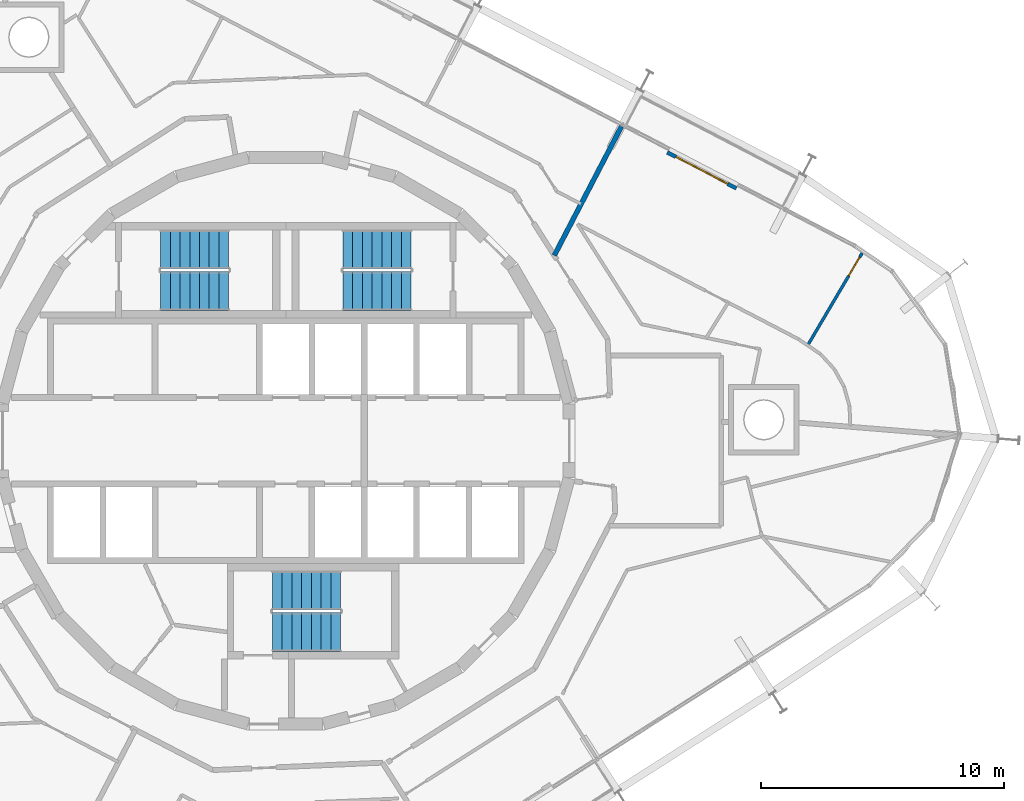
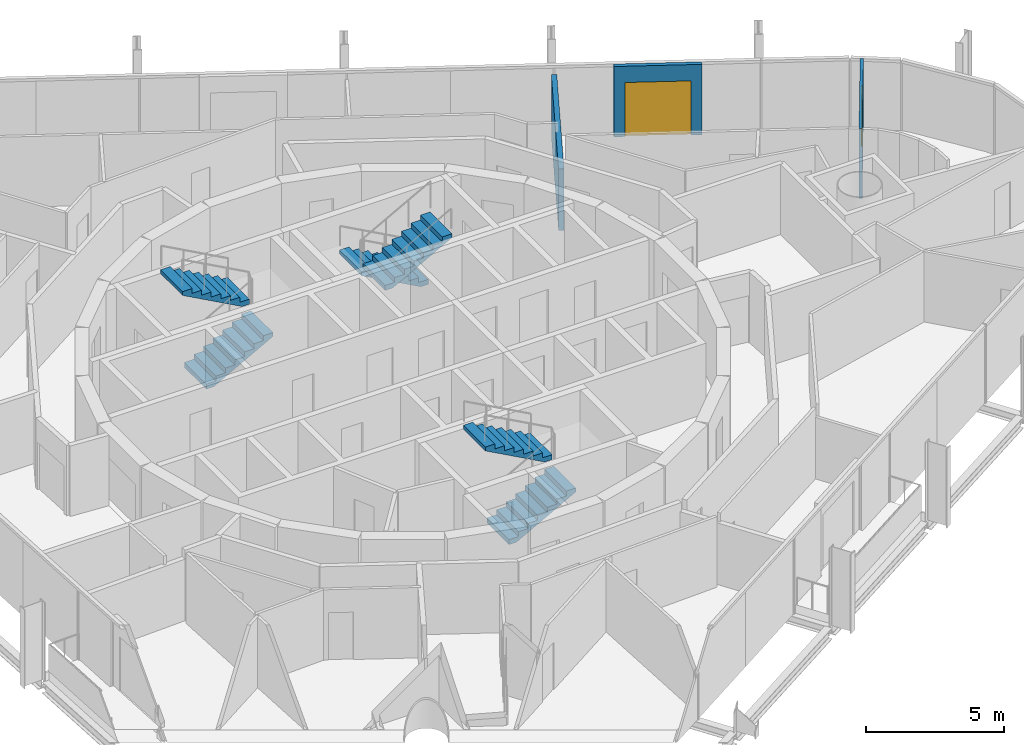
# One storey, part 17 of 18: 6 stair flights, 3 walls, 2 doors, 2 openings, 3 elements without a shape of their own.
"""IFC4 building model written with IfcOpenShell, lengths in metres."""

import ifcopenshell
import ifcopenshell.guid

model = None  # the IFC model being written
_history = None  # IfcOwnerHistory: only IFC2X3 demands one
_inside = {}  # id of a spatial element -> (the spatial element, [elements in it])
_under = {}  # id of a project, library or spatial element -> (it, [spatial elements below it])
_declared = {}  # id of a project -> (the project, [libraries it declares])
_typed = {}  # id of a type object -> (the type object, [elements of that type])
_made_of = {}  # id of a material, layer set ... -> (it, [elements and type objects made of it])


def new_model(schema):
    """Start an empty IFC model of exactly this schema.

    Asked for "IFC4X3", IfcOpenShell would pick the latest addendum, in which some entities
    have other attributes; the version numbers below select the first issue.
    IFC2X3 requires an IfcOwnerHistory on every rooted entity: one is made here for all.
    """
    global model, _history
    if schema == "IFC4X3":
        model = ifcopenshell.file(schema_version=(4, 3, 0, 0))
    else:
        model = ifcopenshell.file(schema=schema)
    _inside.clear()
    _under.clear()
    _declared.clear()
    _typed.clear()
    _made_of.clear()
    _history = None
    if model.schema == "IFC2X3":
        org = make("IfcOrganization", Name="unknown")
        user = make(
            "IfcPersonAndOrganization",
            ThePerson=make("IfcPerson", FamilyName="unknown"),
            TheOrganization=org,
        )
        app = make(
            "IfcApplication",
            ApplicationDeveloper=org,
            Version="unknown",
            ApplicationFullName="unknown",
            ApplicationIdentifier="unknown",
        )
        _history = make(
            "IfcOwnerHistory",
            OwningUser=user,
            OwningApplication=app,
            ChangeAction="ADDED",
            CreationDate=0,
        )
    return model


def make(cls, **values):
    """One entity of the class cls with the attributes given. An attribute that is None is left unset."""
    return model.create_entity(
        cls, **{name: value for name, value in values.items() if value is not None}
    )


def rooted(cls, **values):
    """An entity with a GlobalId (a new one), such as an element, a storey or a relation."""
    return make(cls, GlobalId=ifcopenshell.guid.new(), OwnerHistory=_history, **values)


def si_unit(unit_type, name, prefix=None):
    """IfcSIUnit, for example si_unit("LENGTHUNIT", "METRE", prefix="MILLI")."""
    return make("IfcSIUnit", UnitType=unit_type, Prefix=prefix, Name=name)


def assignment(units):
    """IfcUnitAssignment: the units of a project."""
    return None if units is None else make("IfcUnitAssignment", Units=units)


def point(xyz):
    """IfcCartesianPoint."""
    return None if xyz is None else make("IfcCartesianPoint", Coordinates=xyz)


def direction(xyz):
    """IfcDirection."""
    return None if xyz is None else make("IfcDirection", DirectionRatios=xyz)


def frame(location, z_axis=None, x_axis=None):
    """IfcAxis2Placement3D, a coordinate frame: its origin and axes. An axis left out is left unset."""
    return make(
        "IfcAxis2Placement3D",
        Location=point(location),
        Axis=direction(z_axis),
        RefDirection=direction(x_axis),
    )


def frame_2d(location, x_axis=None):
    """IfcAxis2Placement2D, a coordinate frame in the plane: its origin and x axis."""
    return make(
        "IfcAxis2Placement2D", Location=point(location), RefDirection=direction(x_axis)
    )


def origin():
    """The frame at (0, 0, 0) with its axes left unset."""
    return frame((0.0, 0.0, 0.0))


def place(relative_to, where):
    """IfcLocalPlacement: puts the frame where relative to a parent placement (None: the world)."""
    return make(
        "IfcLocalPlacement", PlacementRelTo=relative_to, RelativePlacement=where
    )


def context(
    kind, dimensions, precision=None, world=None, true_north=None, identifier=None
):
    """IfcGeometricRepresentationContext, for example the 3D "Model" context."""
    return make(
        "IfcGeometricRepresentationContext",
        ContextIdentifier=identifier,
        ContextType=kind,
        CoordinateSpaceDimension=dimensions,
        Precision=precision,
        WorldCoordinateSystem=world,
        TrueNorth=true_north,
    )


def subcontext(parent, identifier, kind, view, scale=None):
    """IfcGeometricRepresentationSubContext, for example "Body" below "Model"."""
    return make(
        "IfcGeometricRepresentationSubContext",
        ContextIdentifier=identifier,
        ContextType=kind,
        ParentContext=parent,
        TargetScale=scale,
        TargetView=view,
    )


def project(units=None, contexts=None):
    """IfcProject with its units and contexts."""
    return rooted(
        "IfcProject",
        Name="project",
        RepresentationContexts=contexts,
        UnitsInContext=assignment(units),
    )


def spatial(cls, under=None, at=None, **own):
    """A site, building, storey or space (cls), placed at a placement, below another one or the project."""
    s = rooted(cls, ObjectPlacement=at, **own)
    if under is not None:
        _under.setdefault(under.id(), (under, []))[1].append(s)
    return s


def polyline(points):
    """IfcPolyline through the points."""
    return make("IfcPolyline", Points=[point(p) for p in points])


def profile(cls, at=None, kind="AREA", **sizes):
    """A parametric profile (cls). Its sizes go by their IFC names, for example OverallWidth=200.0."""
    return make(cls, ProfileType=kind, Position=at, **sizes)


def rectangle(**sizes):
    """IfcRectangleProfileDef."""
    return profile("IfcRectangleProfileDef", **sizes)


def outline(outer, holes=None, kind="AREA"):
    """IfcArbitraryClosedProfileDef: a profile drawn as a closed curve; with holes, ...WithVoids."""
    if holes is None:
        return make("IfcArbitraryClosedProfileDef", ProfileType=kind, OuterCurve=outer)
    return make(
        "IfcArbitraryProfileDefWithVoids",
        ProfileType=kind,
        OuterCurve=outer,
        InnerCurves=holes,
    )


def extrude(swept, where, along, depth):
    """IfcExtrudedAreaSolid: the profile swept, set in the frame where, extruded along a direction by depth."""
    return make(
        "IfcExtrudedAreaSolid",
        SweptArea=swept,
        Position=where,
        ExtrudedDirection=direction(along),
        Depth=depth,
    )


def shape(context_of_items, identifier, shape_type, items):
    """IfcShapeRepresentation: the items that make up one representation, for example the "Body"."""
    return make(
        "IfcShapeRepresentation",
        ContextOfItems=context_of_items,
        RepresentationIdentifier=identifier,
        RepresentationType=shape_type,
        Items=items,
    )


def material(Name=None, Category=None):
    """IfcMaterial."""
    return make("IfcMaterial", Name=Name, Category=Category)


def layer(
    of_material, thickness, ventilated=None, Name=None, Category=None, Priority=None
):
    """IfcMaterialLayer: one layer of a wall or slab, of a material (None: an air gap)."""
    return make(
        "IfcMaterialLayer",
        Material=of_material,
        LayerThickness=thickness,
        IsVentilated=ventilated,
        Name=Name,
        Category=Category,
        Priority=Priority,
    )


def layer_set(layers, Name=None):
    """IfcMaterialLayerSet."""
    return make("IfcMaterialLayerSet", MaterialLayers=layers, LayerSetName=Name)


def made_of(thing, what):
    """Note that an element or type object is made of a material, layer set ...; save() writes the relation."""
    if what is not None:
        _made_of.setdefault(what.id(), (what, []))[1].append(thing)
    return thing


def type_object(cls, material=None, **own):
    """A type object (cls), such as IfcWallType, which elements share."""
    return made_of(rooted(cls, **own), material)


def element(
    cls,
    number,
    at=None,
    inside=None,
    cuts=None,
    type_object=None,
    material=None,
    context=None,
    identifier="Body",
    shape_type=None,
    held_by="IfcProductDefinitionShape",
    body=None,
    shapes=None,
    **own,
):
    """One element of the class cls, such as IfcWall. Its Tag is "e" and its number.

    at: its placement. inside: the storey or other place that contains it. cuts: it is an
    opening in that element (IfcRelVoidsElement). A single representation is given by context,
    identifier, shape_type and body (its items); several are given by shapes. held_by: the class
    of the entity that holds the representations. save() writes the other relations.
    """
    e = rooted(cls, Tag="e%d" % number, ObjectPlacement=at, **own)
    if body is not None:
        shapes = [shape(context, identifier, shape_type, body)]
    if shapes is not None:
        e.Representation = make(held_by, Representations=shapes)
    if inside is not None:
        _inside.setdefault(inside.id(), (inside, []))[1].append(e)
    if cuts is not None:
        rooted(
            "IfcRelVoidsElement", RelatingBuildingElement=cuts, RelatedOpeningElement=e
        )
    if type_object is not None:
        _typed.setdefault(type_object.id(), (type_object, []))[1].append(e)
    return made_of(e, material)


def fill(opening, filler):
    """IfcRelFillsElement: the door or window that sits in an opening."""
    return rooted(
        "IfcRelFillsElement",
        RelatingOpeningElement=opening,
        RelatedBuildingElement=filler,
    )


def aggregate(whole, parts):
    """IfcRelAggregates: a whole, such as a stair, and the parts it consists of."""
    return rooted("IfcRelAggregates", RelatingObject=whole, RelatedObjects=parts)


def save(model, path):
    """Write the relations noted so far, then the file.

    IfcRelAggregates (storeys below a building ...), IfcRelContainedInSpatialStructure (elements
    in a storey), IfcRelDefinesByType, IfcRelAssociatesMaterial and IfcRelDeclares: one each for
    every whole, place, type object, material and project.
    """
    for whole, parts in _under.values():
        aggregate(whole, parts)
    for where, things in _inside.values():
        rooted(
            "IfcRelContainedInSpatialStructure",
            RelatedElements=things,
            RelatingStructure=where,
        )
    for kind, things in _typed.values():
        rooted("IfcRelDefinesByType", RelatedObjects=things, RelatingType=kind)
    for what, things in _made_of.values():
        rooted("IfcRelAssociatesMaterial", RelatedObjects=things, RelatingMaterial=what)
    for by, libraries in _declared.values():
        rooted("IfcRelDeclares", RelatingContext=by, RelatedDefinitions=libraries)
    model.write(path)


model = new_model("IFC4")

# Units and contexts
model_context = context("Model", 3, precision=1e-05, world=origin(), true_north=direction((0.0, 1.0)))
body_context = subcontext(model_context, "Body", "Model", "MODEL_VIEW")
ifc_project = project(units=[si_unit("LENGTHUNIT", "METRE"), si_unit("AREAUNIT", "SQUARE_METRE"), si_unit("VOLUMEUNIT", "CUBIC_METRE"), si_unit("PLANEANGLEUNIT", "RADIAN"), si_unit("MASSUNIT", "GRAM", prefix="KILO")], contexts=[model_context])

# Site, building, storey
site_placement = place(None, origin())
site = spatial("IfcSite", under=ifc_project, at=site_placement, CompositionType="ELEMENT")
building_placement = place(site_placement, origin())
building = spatial("IfcBuilding", under=site, at=building_placement, Name="Spindle Arch Residences", CompositionType="ELEMENT")
storey_placement = place(building_placement, frame((0.0, 0.0, 230.199951171875)))
storey = spatial("IfcBuildingStorey", under=building, at=storey_placement, Name="L58", CompositionType="ELEMENT", Elevation=230.199951171875)

# Wall, opening, door
ifc_material_1 = material(Name="Plasterboard on steel studs", Category="steel")
ifc_layer_1 = layer(ifc_material_1, 0.1201171875)
ifc_layer_set_1 = layer_set([ifc_layer_1], Name="Flat partition 120")
wall_type_1 = type_object("IfcWallType", Name="Flat partition 120", PredefinedType="PARTITIONING", material=ifc_layer_set_1)
wall_1_placement = place(storey_placement, frame((23.6962890625, 7.715087890625, 0.0), z_axis=(0.0, 0.0, 1.0), x_axis=(-0.508219920645, -0.861227329025, 0.0)))
wall_1 = element("IfcWall", 1, at=wall_1_placement, inside=storey, type_object=wall_type_1, Name="Flat partition R6A1-W048", PredefinedType="PARTITIONING", context=body_context, shape_type="SweptSolid", body=[
    extrude(rectangle(XDim=4.408935546875, YDim=0.1201171875, at=frame_2d((2.20458984375, 0.0))), origin(), (0.0, 0.0, 1.0), 3.1201171875),
])
opening_1_placement = place(wall_1_placement, frame((0.199951171875, 0.0, 0.0)))
opening_1 = element("IfcOpeningElement", 2, at=opening_1_placement, cuts=wall_1, Name="Opening R6A1-ID03", PredefinedType="OPENING", context=body_context, shape_type="SweptSolid", body=[
    extrude(rectangle(XDim=0.89990234375, YDim=2.10009765625, at=frame_2d((0.449951171875, 1.050048828125))), frame((0.0, 0.070068359375, 0.0), z_axis=(0.0, -1.0, 0.0), x_axis=(1.0, 0.0, 0.0)), (0.0, 0.0, 1.0), 0.14013671875),
])
ifc_material_2 = material(Name="Timber door set", Category="wood")
door_type_1 = type_object("IfcDoorType", Name="Room door 900x2100", OperationType="NOTDEFINED", PredefinedType="DOOR", material=ifc_material_2)
door_1_placement = place(opening_1_placement, origin())
door_1 = element("IfcDoor", 3, at=door_1_placement, inside=storey, type_object=door_type_1, Name="Room door R6A1-ID03", OperationType="SINGLE_SWING_LEFT", OverallHeight=2.10009765625, OverallWidth=0.89990234375, PredefinedType="DOOR", context=body_context, shape_type="SweptSolid", body=[
    extrude(rectangle(XDim=0.89990234375, YDim=2.10009765625, at=frame_2d((0.449951171875, 1.050048828125))), frame((0.0, 0.02490234375, 0.0), z_axis=(0.0, -1.0, 0.0), x_axis=(1.0, 0.0, 0.0)), (0.0, 0.0, 1.0), 0.050048828125),
])
fill(opening_1, door_1)

# Wall
ifc_material_3 = material(Name="Calcium silicate block, plastered")
ifc_layer_2 = layer(ifc_material_3, 0.199951171875)
ifc_layer_set_2 = layer_set([ifc_layer_2], Name="Flat party wall 200 under beam 2730")
wall_type_2 = type_object("IfcWallType", Name="Flat party wall 200 under beam 2730", PredefinedType="STANDARD", material=ifc_layer_set_2)
wall_2_placement = place(storey_placement, frame((13.801025390625, 12.921875, 0.0), z_axis=(0.0, 0.0, 1.0), x_axis=(-0.461726485624, -0.887022351733, 0.0)))
element("IfcWall", 4, at=wall_2_placement, inside=storey, type_object=wall_type_2, Name="Flat party wall R6A1-W028", PredefinedType="STANDARD", context=body_context, shape_type="SweptSolid", body=[
    extrude(rectangle(XDim=5.984375, YDim=0.199951171875, at=frame_2d((2.9921875, 0.0))), origin(), (0.0, 0.0, 1.0), 2.72998046875),
])

# Wall, opening, door
ifc_material_4 = material(Name="Non-combustible mineral wool insulated aluminium faced external wall (K0)", Category="aluminium")
ifc_layer_3 = layer(ifc_material_4, 0.159912109375)
ifc_layer_set_3 = layer_set([ifc_layer_3], Name="Insulated external wall panel 160")
wall_type_3 = type_object("IfcWallType", Name="Insulated external wall panel 160", PredefinedType="STANDARD", material=ifc_layer_set_3)
wall_3_placement = place(storey_placement, frame((18.52294921875, 10.37353515625, 0.0), z_axis=(0.0, 0.0, 1.0), x_axis=(-0.887014349583, 0.461741858221, 0.0)))
wall_3 = element("IfcWall", 5, at=wall_3_placement, inside=storey, type_object=wall_type_3, Name="External wall L58 bay 6", PredefinedType="STANDARD", context=body_context, shape_type="SweptSolid", body=[
    extrude(rectangle(XDim=3.199951171875, YDim=0.159912109375, at=frame_2d((1.60009765625, 0.0))), origin(), (0.0, 0.0, 1.0), 3.1201171875),
])
opening_2_placement = place(wall_3_placement, frame((0.39990234375, 0.0, 0.0)))
opening_2 = element("IfcOpeningElement", 6, at=opening_2_placement, cuts=wall_3, Name="Opening BD06", PredefinedType="OPENING", context=body_context, shape_type="SweptSolid", body=[
    extrude(rectangle(XDim=2.39990234375, YDim=2.39990234375, at=frame_2d((1.199951171875, 1.199951171875))), frame((0.0, 0.08984375, 0.0), z_axis=(0.0, -1.0, 0.0), x_axis=(1.0, 0.0, 0.0)), (0.0, 0.0, 1.0), 0.179931640625),
])
ifc_material_5 = material(Name="Bronze aluminium frame, tinted double glazing", Category="aluminium")
door_type_2 = type_object("IfcDoorType", Name="Sliding glazed balcony door 2400x2400", OperationType="DOUBLE_DOOR_SLIDING", PredefinedType="DOOR", material=ifc_material_5)
door_2_placement = place(opening_2_placement, origin())
door_2 = element("IfcDoor", 7, at=door_2_placement, inside=storey, type_object=door_type_2, Name="Balcony door BD06", OperationType="DOUBLE_DOOR_SLIDING", OverallHeight=2.39990234375, OverallWidth=2.39990234375, PredefinedType="DOOR", context=body_context, shape_type="SweptSolid", body=[
    extrude(rectangle(XDim=2.39990234375, YDim=2.39990234375, at=frame_2d((1.199951171875, 1.199951171875))), frame((0.0, 0.02490234375, 0.0), z_axis=(0.0, -1.0, 0.0), x_axis=(1.0, 0.0, 0.0)), (0.0, 0.0, 1.0), 0.050048828125),
])
fill(opening_2, door_2)

# Stair, stair flights
ifc_material_6 = material(Name="Concrete C50/60", Category="concrete")
stair_type = type_object("IfcStairType", Name="Exit stair 16 risers", PredefinedType="HALF_TURN_STAIR", material=ifc_material_6)
stair_1_placement = place(storey_placement, origin())
stair_1 = element("IfcStair", 8, at=stair_1_placement, inside=storey, type_object=stair_type, Name="L58 Exit stair ST1", PredefinedType="HALF_TURN_STAIR")
ifc_material_7 = material(Name="Concrete C50/60", Category="concrete")
stair_flight_type = type_object("IfcStairFlightType", Name="Exit stair flight", PredefinedType="STRAIGHT", material=ifc_material_7)
stair_flight_1_placement = place(storey_placement, frame((5.14990234375, 7.8701171875, 0.0), z_axis=(0.0, 0.0, 1.0), x_axis=(-1.0, 0.0, 0.0)))
stair_flight_1 = element("IfcStairFlight", 9, at=stair_flight_1_placement, type_object=stair_flight_type, Name="ST1 flight 1", NumberOfRisers=8, NumberOfTreads=7, PredefinedType="STRAIGHT", RiserHeight=0.21875, TreadLength=0.4, context=body_context, shape_type="SweptSolid", body=[
    extrude(outline(polyline([(0.0, 0.0), (0.0, 0.21875), (0.39990234375, 0.21875), (0.39990234375, 0.4375), (0.800048828125, 0.4375), (0.800048828125, 0.65625), (1.199951171875, 0.65625), (1.199951171875, 0.875), (1.60009765625, 0.875), (1.60009765625, 1.09375), (2.0, 1.09375), (2.0, 1.3125), (2.39990234375, 1.3125), (2.39990234375, 1.53125), (2.800048828125, 1.53125), (2.800048828125, 1.75), (2.800048828125, 1.3603515625), (0.3125, 0.0), (0.0, 0.0)])), frame((0.0, 0.800048828125, 0.0), z_axis=(0.0, -1.0, 0.0), x_axis=(1.0, 0.0, 0.0)), (0.0, 0.0, 1.0), 1.60009765625),
])
stair_flight_2_placement = place(storey_placement, frame((2.35009765625, 6.14990234375, 1.75), z_axis=(0.0, 0.0, 1.0), x_axis=(1.0, 0.0, 0.0)))
stair_flight_2 = element("IfcStairFlight", 10, at=stair_flight_2_placement, type_object=stair_flight_type, Name="ST1 flight 2", NumberOfRisers=8, NumberOfTreads=7, PredefinedType="STRAIGHT", RiserHeight=0.21875, TreadLength=0.4, context=body_context, shape_type="SweptSolid", body=[
    extrude(outline(polyline([(0.0, 0.0), (0.0, 0.21875), (0.39990234375, 0.21875), (0.39990234375, 0.4375), (0.800048828125, 0.4375), (0.800048828125, 0.65625), (1.199951171875, 0.65625), (1.199951171875, 0.875), (1.60009765625, 0.875), (1.60009765625, 1.09375), (2.0, 1.09375), (2.0, 1.3125), (2.39990234375, 1.3125), (2.39990234375, 1.53125), (2.800048828125, 1.53125), (2.800048828125, 1.75), (2.800048828125, 1.3603515625), (0.3125, 0.0), (0.0, 0.0)])), frame((0.0, 0.800048828125, 0.0), z_axis=(0.0, -1.0, 0.0), x_axis=(1.0, 0.0, 0.0)), (0.0, 0.0, 1.0), 1.60009765625),
])
aggregate(stair_1, [stair_flight_1, stair_flight_2])

stair_2_placement = place(storey_placement, origin())
stair_2 = element("IfcStair", 11, at=stair_2_placement, inside=storey, type_object=stair_type, Name="L58 Exit stair ST2", PredefinedType="HALF_TURN_STAIR")
stair_flight_3_placement = place(storey_placement, frame((-5.14990234375, 6.14990234375, 0.0), z_axis=(0.0, 0.0, 1.0), x_axis=(1.0, 0.0, 0.0)))
stair_flight_3 = element("IfcStairFlight", 12, at=stair_flight_3_placement, type_object=stair_flight_type, Name="ST2 flight 1", NumberOfRisers=8, NumberOfTreads=7, PredefinedType="STRAIGHT", RiserHeight=0.21875, TreadLength=0.4, context=body_context, shape_type="SweptSolid", body=[
    extrude(outline(polyline([(0.0, 0.0), (0.0, 0.21875), (0.39990234375, 0.21875), (0.39990234375, 0.4375), (0.800048828125, 0.4375), (0.800048828125, 0.65625), (1.199951171875, 0.65625), (1.199951171875, 0.875), (1.60009765625, 0.875), (1.60009765625, 1.09375), (2.0, 1.09375), (2.0, 1.3125), (2.39990234375, 1.3125), (2.39990234375, 1.53125), (2.800048828125, 1.53125), (2.800048828125, 1.75), (2.800048828125, 1.3603515625), (0.3125, 0.0), (0.0, 0.0)])), frame((0.0, 0.800048828125, 0.0), z_axis=(0.0, -1.0, 0.0), x_axis=(1.0, 0.0, 0.0)), (0.0, 0.0, 1.0), 1.60009765625),
])
stair_flight_4_placement = place(storey_placement, frame((-2.35009765625, 7.8701171875, 1.75), z_axis=(0.0, 0.0, 1.0), x_axis=(-1.0, 0.0, 0.0)))
stair_flight_4 = element("IfcStairFlight", 13, at=stair_flight_4_placement, type_object=stair_flight_type, Name="ST2 flight 2", NumberOfRisers=8, NumberOfTreads=7, PredefinedType="STRAIGHT", RiserHeight=0.21875, TreadLength=0.4, context=body_context, shape_type="SweptSolid", body=[
    extrude(outline(polyline([(0.0, 0.0), (0.0, 0.21875), (0.39990234375, 0.21875), (0.39990234375, 0.4375), (0.800048828125, 0.4375), (0.800048828125, 0.65625), (1.199951171875, 0.65625), (1.199951171875, 0.875), (1.60009765625, 0.875), (1.60009765625, 1.09375), (2.0, 1.09375), (2.0, 1.3125), (2.39990234375, 1.3125), (2.39990234375, 1.53125), (2.800048828125, 1.53125), (2.800048828125, 1.75), (2.800048828125, 1.3603515625), (0.3125, 0.0), (0.0, 0.0)])), frame((0.0, 0.800048828125, 0.0), z_axis=(0.0, -1.0, 0.0), x_axis=(1.0, 0.0, 0.0)), (0.0, 0.0, 1.0), 1.60009765625),
])
aggregate(stair_2, [stair_flight_3, stair_flight_4])

stair_3_placement = place(storey_placement, origin())
stair_3 = element("IfcStair", 14, at=stair_3_placement, inside=storey, type_object=stair_type, Name="L58 Exit stair ST3", PredefinedType="HALF_TURN_STAIR")
stair_flight_5_placement = place(storey_placement, frame((-0.550048828125, -7.8701171875, 0.0), z_axis=(0.0, 0.0, 1.0), x_axis=(1.0, 0.0, 0.0)))
stair_flight_5 = element("IfcStairFlight", 15, at=stair_flight_5_placement, type_object=stair_flight_type, Name="ST3 flight 1", NumberOfRisers=8, NumberOfTreads=7, PredefinedType="STRAIGHT", RiserHeight=0.21875, TreadLength=0.4, context=body_context, shape_type="SweptSolid", body=[
    extrude(outline(polyline([(0.0, 0.0), (0.0, 0.21875), (0.39990234375, 0.21875), (0.39990234375, 0.4375), (0.800048828125, 0.4375), (0.800048828125, 0.65625), (1.199951171875, 0.65625), (1.199951171875, 0.875), (1.60009765625, 0.875), (1.60009765625, 1.09375), (2.0, 1.09375), (2.0, 1.3125), (2.39990234375, 1.3125), (2.39990234375, 1.53125), (2.800048828125, 1.53125), (2.800048828125, 1.75), (2.800048828125, 1.3603515625), (0.3125, 0.0), (0.0, 0.0)])), frame((0.0, 0.800048828125, 0.0), z_axis=(0.0, -1.0, 0.0), x_axis=(1.0, 0.0, 0.0)), (0.0, 0.0, 1.0), 1.60009765625),
])
stair_flight_6_placement = place(storey_placement, frame((2.25, -6.14990234375, 1.75), z_axis=(0.0, 0.0, 1.0), x_axis=(-1.0, 0.0, 0.0)))
stair_flight_6 = element("IfcStairFlight", 16, at=stair_flight_6_placement, type_object=stair_flight_type, Name="ST3 flight 2", NumberOfRisers=8, NumberOfTreads=7, PredefinedType="STRAIGHT", RiserHeight=0.21875, TreadLength=0.4, context=body_context, shape_type="SweptSolid", body=[
    extrude(outline(polyline([(0.0, 0.0), (0.0, 0.21875), (0.39990234375, 0.21875), (0.39990234375, 0.4375), (0.800048828125, 0.4375), (0.800048828125, 0.65625), (1.199951171875, 0.65625), (1.199951171875, 0.875), (1.60009765625, 0.875), (1.60009765625, 1.09375), (2.0, 1.09375), (2.0, 1.3125), (2.39990234375, 1.3125), (2.39990234375, 1.53125), (2.800048828125, 1.53125), (2.800048828125, 1.75), (2.800048828125, 1.3603515625), (0.3125, 0.0), (0.0, 0.0)])), frame((0.0, 0.800048828125, 0.0), z_axis=(0.0, -1.0, 0.0), x_axis=(1.0, 0.0, 0.0)), (0.0, 0.0, 1.0), 1.60009765625),
])
aggregate(stair_3, [stair_flight_5, stair_flight_6])

save(model, "model.ifc")
